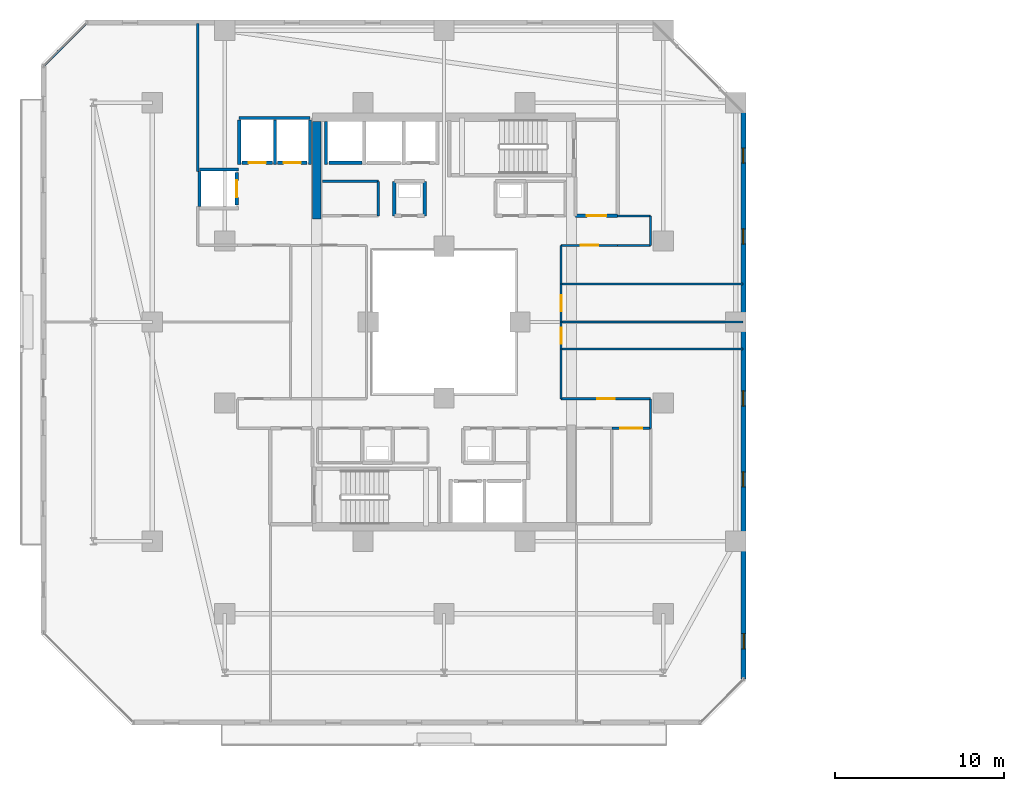
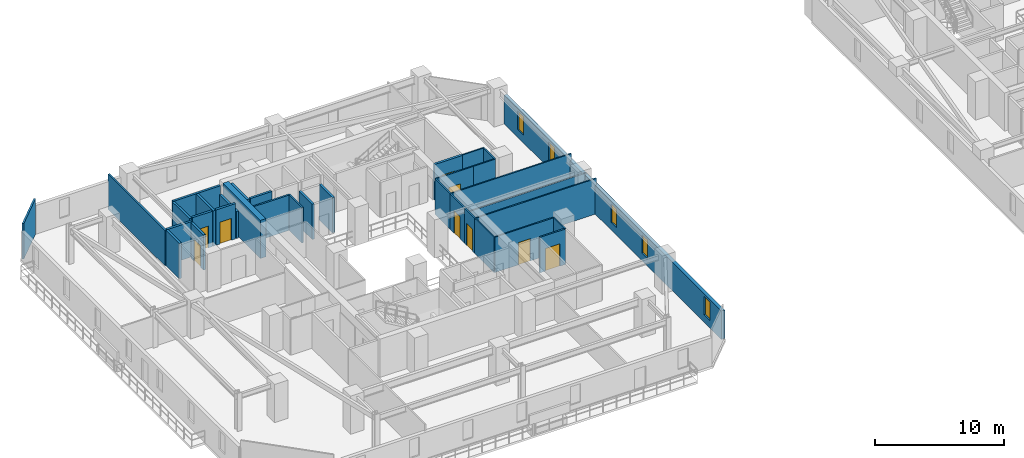
# One storey, part 20 of 33: 34 walls, 9 doors, 5 windows, 14 openings.
"""IFC4 building model written with IfcOpenShell, lengths in metres."""

from ifc_helpers import new_model, si_unit, direction, frame, frame_2d, origin, place, context, subcontext, project, spatial, rectangle, extrude, material, layer, layer_set, type_object, element, fill, save


model = new_model("IFC4")

# Units and contexts
model_context = context("Model", 3, precision=1e-05, world=origin(), true_north=direction((0.0, 1.0)))
body_context = subcontext(model_context, "Body", "Model", "MODEL_VIEW")
ifc_project = project(units=[si_unit("LENGTHUNIT", "METRE"), si_unit("AREAUNIT", "SQUARE_METRE"), si_unit("VOLUMEUNIT", "CUBIC_METRE"), si_unit("PLANEANGLEUNIT", "RADIAN"), si_unit("MASSUNIT", "GRAM", prefix="KILO")], contexts=[model_context])

# Site, building, storey
site_placement = place(None, origin())
site = spatial("IfcSite", under=ifc_project, at=site_placement, CompositionType="ELEMENT")
building_placement = place(site_placement, origin())
building = spatial("IfcBuilding", under=site, at=building_placement, Name="Thornwick Lancets Civic Towers", CompositionType="ELEMENT")
storey_placement = place(building_placement, frame((0.0, 0.0, 130.5)))
storey = spatial("IfcBuildingStorey", under=building, at=storey_placement, Name="L34", CompositionType="ELEMENT", Elevation=130.5)

# Wall
ifc_material_1 = material(Name="Concrete blockwork C40/50", Category="masonry")
ifc_layer_1 = layer(ifc_material_1, 0.199951171875, Name="Concrete blockwork C40/50")
ifc_layer_set_1 = layer_set([ifc_layer_1], Name="Concrete blockwork C40/50")
wall_type_1 = type_object("IfcWallType", Name="WALL_COMP_200", PredefinedType="STANDARD", material=ifc_layer_set_1)
wall_1_placement = place(storey_placement, frame((20.6201171875, 36.449951171875, 0.0), z_axis=(0.0, 0.0, 1.0), x_axis=(-1.0, 0.0, 0.0)))
element("IfcWall", 1, at=wall_1_placement, inside=storey, type_object=wall_type_1, Name="L34 Hoistway Front Wall PL-AH3", PredefinedType="STANDARD", context=body_context, shape_type="SweptSolid", body=[
    extrude(rectangle(XDim=1.940185546875, YDim=0.199951171875, at=frame_2d((0.97021484375, 0.0))), origin(), (0.0, 0.0, 1.0), 3.340087890625),
])

# Wall, opening, door
wall_2_placement = place(storey_placement, frame((17.3701171875, 36.449951171875, 0.0), z_axis=(0.0, 0.0, 1.0), x_axis=(-1.0, 0.0, 0.0)))
wall_2 = element("IfcWall", 2, at=wall_2_placement, inside=storey, type_object=wall_type_1, Name="L34 Hoistway Front Wall PL-AM1", PredefinedType="STANDARD", context=body_context, shape_type="SweptSolid", body=[
    extrude(rectangle(XDim=1.740234375, YDim=0.199951171875, at=frame_2d((0.8701171875, 0.0))), origin(), (0.0, 0.0, 1.0), 3.340087890625),
])
opening_1_placement = place(wall_2_placement, frame((0.360107421875, 0.0, 0.0)))
opening_1 = element("IfcOpeningElement", 3, at=opening_1_placement, cuts=wall_2, Name="Opening LD-PL-AM1", PredefinedType="OPENING", context=body_context, shape_type="SweptSolid", body=[
    extrude(rectangle(XDim=1.02001953125, YDim=2.06005859375, at=frame_2d((0.510009765625, 1.030029296875))), frame((0.0, 0.10986328125, 0.0), z_axis=(0.0, -1.0, 0.0), x_axis=(1.0, 0.0, 0.0)), (0.0, 0.0, 1.0), 0.219970703125),
])
ifc_material_2 = material(Name="Brushed bronze stainless steel", Category="steel")
door_type_1 = type_object("IfcDoorType", Name="DOOR_LIFT_SLIDE", OperationType="SLIDING_TO_LEFT", PredefinedType="DOOR", material=ifc_material_2)
door_1_placement = place(opening_1_placement, origin())
door_1 = element("IfcDoor", 4, at=door_1_placement, inside=storey, type_object=door_type_1, Name="L34 Sliding Lift Landing Door LD-PL-AM1", OperationType="SLIDING_TO_LEFT", OverallHeight=2.06005859375, OverallWidth=1.02001953125, PredefinedType="DOOR", context=body_context, shape_type="SweptSolid", body=[
    extrude(rectangle(XDim=1.02001953125, YDim=2.06005859375, at=frame_2d((0.510009765625, 1.030029296875))), frame((0.0, 0.02490234375, 0.0), z_axis=(0.0, -1.0, 0.0), x_axis=(1.0, 0.0, 0.0)), (0.0, 0.0, 1.0), 0.050048828125),
])
fill(opening_1, door_1)

wall_3_placement = place(storey_placement, frame((15.320068359375, 36.449951171875, 0.0), z_axis=(0.0, 0.0, 1.0), x_axis=(-1.0, 0.0, 0.0)))
wall_3 = element("IfcWall", 5, at=wall_3_placement, inside=storey, type_object=wall_type_1, Name="L34 Hoistway Front Wall PL-AM2", PredefinedType="STANDARD", context=body_context, shape_type="SweptSolid", body=[
    extrude(rectangle(XDim=1.7900390625, YDim=0.199951171875, at=frame_2d((0.89501953125, 0.0))), origin(), (0.0, 0.0, 1.0), 3.340087890625),
])
opening_2_placement = place(wall_3_placement, frame((0.385009765625, 0.0, 0.0)))
opening_2 = element("IfcOpeningElement", 6, at=opening_2_placement, cuts=wall_3, Name="Opening LD-PL-AM2", PredefinedType="OPENING", context=body_context, shape_type="SweptSolid", body=[
    extrude(rectangle(XDim=1.02001953125, YDim=2.06005859375, at=frame_2d((0.510009765625, 1.030029296875))), frame((0.0, 0.10986328125, 0.0), z_axis=(0.0, -1.0, 0.0), x_axis=(1.0, 0.0, 0.0)), (0.0, 0.0, 1.0), 0.219970703125),
])
door_2_placement = place(opening_2_placement, origin())
door_2 = element("IfcDoor", 7, at=door_2_placement, inside=storey, type_object=door_type_1, Name="L34 Sliding Lift Landing Door LD-PL-AM2", OperationType="SLIDING_TO_LEFT", OverallHeight=2.06005859375, OverallWidth=1.02001953125, PredefinedType="DOOR", context=body_context, shape_type="SweptSolid", body=[
    extrude(rectangle(XDim=1.02001953125, YDim=2.06005859375, at=frame_2d((0.510009765625, 1.030029296875))), frame((0.0, 0.02490234375, 0.0), z_axis=(0.0, -1.0, 0.0), x_axis=(1.0, 0.0, 0.0)), (0.0, 0.0, 1.0), 0.050048828125),
])
fill(opening_2, door_2)

wall_4_placement = place(storey_placement, frame((13.199951171875, 33.929931640625, 0.0), z_axis=(0.0, 0.0, 1.0), x_axis=(0.0, 1.0, 0.0)))
wall_4 = element("IfcWall", 8, at=wall_4_placement, inside=storey, type_object=wall_type_1, Name="L34 Hoistway Front Wall PL-AM3", PredefinedType="STANDARD", context=body_context, shape_type="SweptSolid", body=[
    extrude(rectangle(XDim=1.940185546875, YDim=0.199951171875, at=frame_2d((0.97021484375, 0.0))), origin(), (0.0, 0.0, 1.0), 3.340087890625),
])
opening_3_placement = place(wall_4_placement, frame((0.4599609375, 0.0, 0.0)))
opening_3 = element("IfcOpeningElement", 9, at=opening_3_placement, cuts=wall_4, Name="Opening LD-PL-AM3", PredefinedType="OPENING", context=body_context, shape_type="SweptSolid", body=[
    extrude(rectangle(XDim=1.02001953125, YDim=2.06005859375, at=frame_2d((0.510009765625, 1.030029296875))), frame((0.0, 0.10986328125, 0.0), z_axis=(0.0, -1.0, 0.0), x_axis=(1.0, 0.0, 0.0)), (0.0, 0.0, 1.0), 0.219970703125),
])
door_3_placement = place(opening_3_placement, origin())
door_3 = element("IfcDoor", 10, at=door_3_placement, inside=storey, type_object=door_type_1, Name="L34 Sliding Lift Landing Door LD-PL-AM3", OperationType="SLIDING_TO_LEFT", OverallHeight=2.06005859375, OverallWidth=1.02001953125, PredefinedType="DOOR", context=body_context, shape_type="SweptSolid", body=[
    extrude(rectangle(XDim=1.02001953125, YDim=2.06005859375, at=frame_2d((0.510009765625, 1.030029296875))), frame((0.0, 0.02490234375, 0.0), z_axis=(0.0, -1.0, 0.0), x_axis=(1.0, 0.0, 0.0)), (0.0, 0.0, 1.0), 0.050048828125),
])
fill(opening_3, door_3)

# Walls
wall_5_placement = place(storey_placement, frame((18.5, 36.35205078125, 0.0), z_axis=(0.0, 0.0, 1.0), x_axis=(0.0, 1.0, 0.0)))
element("IfcWall", 11, at=wall_5_placement, inside=storey, type_object=wall_type_1, Name="L34 Hoistway Shaft Wall PL-AH3 W", PredefinedType="STANDARD", context=body_context, shape_type="SweptSolid", body=[
    extrude(rectangle(XDim=2.535888671875, YDim=0.199951171875, at=frame_2d((1.26806640625, 0.0))), origin(), (0.0, 0.0, 1.0), 3.340087890625),
])
wall_6_placement = place(storey_placement, frame((13.35205078125, 39.10009765625, 0.0), z_axis=(0.0, 0.0, 1.0), x_axis=(1.0, 0.0, 0.0)))
element("IfcWall", 12, at=wall_6_placement, inside=storey, type_object=wall_type_1, Name="L34 Hoistway Shaft Wall PL-AM1 N", PredefinedType="STANDARD", context=body_context, shape_type="SweptSolid", body=[
    extrude(rectangle(XDim=4.196044921875, YDim=0.199951171875, at=frame_2d((2.09814453125, 0.0))), origin(), (0.0, 0.0, 1.0), 3.340087890625),
])
wall_7_placement = place(storey_placement, frame((17.550048828125, 36.35205078125, 0.0), z_axis=(0.0, 0.0, 1.0), x_axis=(0.0, 1.0, 0.0)))
element("IfcWall", 13, at=wall_7_placement, inside=storey, type_object=wall_type_1, Name="L34 Hoistway Shaft Wall PL-AM1 E", PredefinedType="STANDARD", context=body_context, shape_type="SweptSolid", body=[
    extrude(rectangle(XDim=2.635986328125, YDim=0.199951171875, at=frame_2d((1.31787109375, 0.0))), origin(), (0.0, 0.0, 1.0), 2.544921875),
])
for number, where, z_axis, x_axis, name in (
    (14, (15.47509765625, 36.35205078125, 0.0), (0.0, 0.0, 1.0), (0.0, 1.0, 0.0), "L34 Hoistway Shaft Wall PL-AM1 W"),
    (15, (13.35009765625, 36.35205078125, 0.0), (0.0, 0.0, 1.0), (0.0, 1.0, 0.0), "L34 Hoistway Shaft Wall PL-AM2 W"),
):
    element("IfcWall", number, at=place(storey_placement, frame(where, z_axis=z_axis, x_axis=x_axis)), inside=storey, type_object=wall_type_1, Name=name, PredefinedType="STANDARD", context=body_context, shape_type="SweptSolid", body=[
        extrude(rectangle(XDim=2.635986328125, YDim=0.199951171875, at=frame_2d((1.31787109375, 0.0))), origin(), (0.0, 0.0, 1.0), 3.340087890625),
    ])
wall_8_placement = place(storey_placement, frame((11.001953125, 36.050048828125, 0.0), z_axis=(0.0, 0.0, 1.0), x_axis=(1.0, 0.0, 0.0)))
element("IfcWall", 16, at=wall_8_placement, inside=storey, type_object=wall_type_1, Name="L34 Hoistway Shaft Wall PL-AM3 N", PredefinedType="STANDARD", context=body_context, shape_type="SweptSolid", body=[
    extrude(rectangle(XDim=2.296142578125, YDim=0.199951171875, at=frame_2d((1.14794921875, 0.0))), origin(), (0.0, 0.0, 1.0), 3.340087890625),
])
wall_9_placement = place(storey_placement, frame((11.0, 33.862060546875, 0.0), z_axis=(0.0, 0.0, 1.0), x_axis=(0.0, 1.0, 0.0)))
element("IfcWall", 17, at=wall_9_placement, inside=storey, type_object=wall_type_1, Name="L34 Hoistway Shaft Wall PL-AM3 W", PredefinedType="STANDARD", context=body_context, shape_type="SweptSolid", body=[
    extrude(rectangle(XDim=2.075927734375, YDim=0.199951171875, at=frame_2d((1.0380859375, 0.0))), origin(), (0.0, 0.0, 1.0), 3.340087890625),
])

# Wall, opening, door
wall_10_placement = place(storey_placement, frame((33.300048828125, 33.300048828125, 0.0), z_axis=(0.0, 0.0, 1.0), x_axis=(1.0, 0.0, 0.0)))
wall_10 = element("IfcWall", 18, at=wall_10_placement, inside=storey, type_object=wall_type_1, Name="L34 Partition L34-A-FFLOB2 E1", PredefinedType="STANDARD", context=body_context, shape_type="SweptSolid", body=[
    extrude(rectangle(XDim=2.5, YDim=0.199951171875, at=frame_2d((1.25, 0.0))), origin(), (0.0, 0.0, 1.0), 3.340087890625),
])
opening_4_placement = place(wall_10_placement, frame((0.675048828125, 0.0, 0.0)))
opening_4 = element("IfcOpeningElement", 19, at=opening_4_placement, cuts=wall_10, Name="Opening D-L34-1530", PredefinedType="OPENING", context=body_context, shape_type="SweptSolid", body=[
    extrude(rectangle(XDim=1.14990234375, YDim=2.10009765625, at=frame_2d((0.574951171875, 1.050048828125))), frame((0.0, 0.10986328125, 0.0), z_axis=(0.0, -1.0, 0.0), x_axis=(1.0, 0.0, 0.0)), (0.0, 0.0, 1.0), 0.219970703125),
])
ifc_material_3 = material(Name="Glazed fire-resisting steel", Category="steel")
door_type_2 = type_object("IfcDoorType", Name="DOOR_LOBBY_FD60", OperationType="NOTDEFINED", PredefinedType="DOOR", material=ifc_material_3)
door_4_placement = place(opening_4_placement, origin())
door_4 = element("IfcDoor", 20, at=door_4_placement, inside=storey, type_object=door_type_2, Name="L34 North Firefighting Lobby 2 Door", OperationType="SINGLE_SWING_LEFT", OverallHeight=2.10009765625, OverallWidth=1.14990234375, PredefinedType="DOOR", context=body_context, shape_type="SweptSolid", body=[
    extrude(rectangle(XDim=1.14990234375, YDim=2.10009765625, at=frame_2d((0.574951171875, 1.050048828125))), frame((0.0, 0.02490234375, 0.0), z_axis=(0.0, -1.0, 0.0), x_axis=(1.0, 0.0, 0.0)), (0.0, 0.0, 1.0), 0.050048828125),
])
fill(opening_4, door_4)

# Walls
for number, where, z_axis, x_axis, name in (
    (21, (24.35009765625, 33.300048828125, 0.0), (0.0, 0.0, 1.0), (0.0, 1.0, 0.0), "L34 Partition L34-A-DUCT2 E2"),
    (22, (22.550048828125, 35.35009765625, 0.0), (0.0, 0.0, 1.0), (0.0, -1.0, 0.0), "L34 Partition L34-A-DUCT2 E4"),
):
    element("IfcWall", number, at=place(storey_placement, frame(where, z_axis=z_axis, x_axis=x_axis)), inside=storey, type_object=wall_type_1, Name=name, PredefinedType="STANDARD", context=body_context, shape_type="SweptSolid", body=[
        extrude(rectangle(XDim=2.050048828125, YDim=0.199951171875, at=frame_2d((1.02490234375, 0.0))), origin(), (0.0, 0.0, 1.0), 3.340087890625),
    ])
ifc_material_4 = material(Name="Concrete C50/60", Category="concrete")
ifc_layer_2 = layer(ifc_material_4, 0.5, Name="Concrete C50/60")
ifc_layer_set_2 = layer_set([ifc_layer_2], Name="Concrete C50/60")
wall_type_2 = type_object("IfcWallType", Name="WALL_CORE_500", PredefinedType="SHEAR", material=ifc_layer_set_2)
wall_11_placement = place(storey_placement, frame((17.949951171875, 33.10009765625, 0.0), z_axis=(0.0, 0.0, 1.0), x_axis=(0.0, 1.0, 0.0)))
element("IfcWall", 23, at=wall_11_placement, inside=storey, type_object=wall_type_2, Name="L34 Split Core A2 Shear Wall W", PredefinedType="SHEAR", context=body_context, shape_type="SweptSolid", body=[
    extrude(rectangle(XDim=5.7998046875, YDim=0.5, at=frame_2d((2.89990234375, 0.0))), origin(), (0.0, 0.0, 1.0), 3.60009765625),
])

# Wall, openings, windows
ifc_material_5 = material(Name="Insulated russet terracotta rainscreen on concrete C40/50", Category="masonry")
ifc_layer_3 = layer(ifc_material_5, 0.300048828125, Name="Insulated russet terracotta rainscreen on concrete C40/50")
ifc_layer_set_3 = layer_set([ifc_layer_3], Name="Insulated russet terracotta rainscreen on concrete C40/50")
wall_type_3 = type_object("IfcWallType", Name="WALL_EXT_RUSSET_300", PredefinedType="STANDARD", material=ifc_layer_set_3)
wall_12_placement = place(storey_placement, frame((43.2646484375, 5.818603515625, 0.0), z_axis=(0.0, 0.0, 1.0), x_axis=(-0.000268805477, 0.999999963872, 0.0)))
wall_12 = element("IfcWall", 24, at=wall_12_placement, inside=storey, type_object=wall_type_3, Name="L34 Tower A Terracotta Facade Wall E2", PredefinedType="STANDARD", context=body_context, shape_type="SweptSolid", body=[
    extrude(rectangle(XDim=33.60498046875, YDim=0.300048828125, at=frame_2d((16.802490234375, 0.0))), origin(), (0.0, 0.0, 1.0), 2.699951171875),
])
opening_5_placement = place(wall_12_placement, frame((1.800048828125, 0.0, 0.719970703125)))
opening_5 = element("IfcOpeningElement", 25, at=opening_5_placement, cuts=wall_12, Name="Opening WL-01", PredefinedType="OPENING", context=body_context, shape_type="SweptSolid", body=[
    extrude(rectangle(XDim=0.89990234375, YDim=1.75, at=frame_2d((0.449951171875, 0.875))), frame((0.0, 0.16015625, 0.0), z_axis=(0.0, -1.0, 0.0), x_axis=(1.0, 0.0, 0.0)), (0.0, 0.0, 1.0), 0.320068359375),
])
opening_6_placement = place(wall_12_placement, frame((11.39990234375, 0.0, 0.719970703125)))
opening_6 = element("IfcOpeningElement", 26, at=opening_6_placement, cuts=wall_12, Name="Opening WL-01", PredefinedType="OPENING", context=body_context, shape_type="SweptSolid", body=[
    extrude(rectangle(XDim=0.89990234375, YDim=1.75, at=frame_2d((0.449951171875, 0.875))), frame((0.0, 0.16015625, 0.0), z_axis=(0.0, -1.0, 0.0), x_axis=(1.0, 0.0, 0.0)), (0.0, 0.0, 1.0), 0.320068359375),
])
opening_7_placement = place(wall_12_placement, frame((16.199951171875, 0.0, 0.719970703125)))
opening_7 = element("IfcOpeningElement", 27, at=opening_7_placement, cuts=wall_12, Name="Opening WL-01", PredefinedType="OPENING", context=body_context, shape_type="SweptSolid", body=[
    extrude(rectangle(XDim=0.89990234375, YDim=1.75, at=frame_2d((0.449951171875, 0.875))), frame((0.0, 0.16015625, 0.0), z_axis=(0.0, -1.0, 0.0), x_axis=(1.0, 0.0, 0.0)), (0.0, 0.0, 1.0), 0.320068359375),
])
opening_8_placement = place(wall_12_placement, frame((25.800048828125, 0.0, 0.719970703125)))
opening_8 = element("IfcOpeningElement", 28, at=opening_8_placement, cuts=wall_12, Name="Opening WL-01", PredefinedType="OPENING", context=body_context, shape_type="SweptSolid", body=[
    extrude(rectangle(XDim=0.89990234375, YDim=1.75, at=frame_2d((0.449951171875, 0.875))), frame((0.0, 0.16015625, 0.0), z_axis=(0.0, -1.0, 0.0), x_axis=(1.0, 0.0, 0.0)), (0.0, 0.0, 1.0), 0.320068359375),
])
opening_9_placement = place(wall_12_placement, frame((30.60009765625, 0.0, 0.719970703125)))
opening_9 = element("IfcOpeningElement", 29, at=opening_9_placement, cuts=wall_12, Name="Opening WL-01", PredefinedType="OPENING", context=body_context, shape_type="SweptSolid", body=[
    extrude(rectangle(XDim=0.89990234375, YDim=1.75, at=frame_2d((0.449951171875, 0.875))), frame((0.0, 0.16015625, 0.0), z_axis=(0.0, -1.0, 0.0), x_axis=(1.0, 0.0, 0.0)), (0.0, 0.0, 1.0), 0.320068359375),
])
ifc_material_6 = material(Name="Clear low-e double glazing in bronze frame", Category="glass")
window_type = type_object("IfcWindowType", Name="WIN_LANCET_900", PartitioningType="SINGLE_PANEL", PredefinedType="WINDOW", material=ifc_material_6)
window_1_placement = place(opening_5_placement, origin())
window_1 = element("IfcWindow", 30, at=window_1_placement, inside=storey, type_object=window_type, Name="L34 Tower A Staggered Lancet Window E2-1", OverallHeight=1.75, OverallWidth=0.89990234375, PartitioningType="SINGLE_PANEL", PredefinedType="WINDOW", context=body_context, shape_type="SweptSolid", body=[
    extrude(rectangle(XDim=0.89990234375, YDim=1.75, at=frame_2d((0.449951171875, 0.875))), frame((0.0, 0.030029296875, 0.0), z_axis=(0.0, -1.0, 0.0), x_axis=(1.0, 0.0, 0.0)), (0.0, 0.0, 1.0), 0.06005859375),
])
fill(opening_5, window_1)
window_2_placement = place(opening_6_placement, origin())
window_2 = element("IfcWindow", 31, at=window_2_placement, inside=storey, type_object=window_type, Name="L34 Tower A Staggered Lancet Window E2-2", OverallHeight=1.75, OverallWidth=0.89990234375, PartitioningType="SINGLE_PANEL", PredefinedType="WINDOW", context=body_context, shape_type="SweptSolid", body=[
    extrude(rectangle(XDim=0.89990234375, YDim=1.75, at=frame_2d((0.449951171875, 0.875))), frame((0.0, 0.030029296875, 0.0), z_axis=(0.0, -1.0, 0.0), x_axis=(1.0, 0.0, 0.0)), (0.0, 0.0, 1.0), 0.06005859375),
])
fill(opening_6, window_2)
window_3_placement = place(opening_7_placement, origin())
window_3 = element("IfcWindow", 32, at=window_3_placement, inside=storey, type_object=window_type, Name="L34 Tower A Staggered Lancet Window E2-3", OverallHeight=1.75, OverallWidth=0.89990234375, PartitioningType="SINGLE_PANEL", PredefinedType="WINDOW", context=body_context, shape_type="SweptSolid", body=[
    extrude(rectangle(XDim=0.89990234375, YDim=1.75, at=frame_2d((0.449951171875, 0.875))), frame((0.0, 0.030029296875, 0.0), z_axis=(0.0, -1.0, 0.0), x_axis=(1.0, 0.0, 0.0)), (0.0, 0.0, 1.0), 0.06005859375),
])
fill(opening_7, window_3)
window_4_placement = place(opening_8_placement, origin())
window_4 = element("IfcWindow", 33, at=window_4_placement, inside=storey, type_object=window_type, Name="L34 Tower A Staggered Lancet Window E2-4", OverallHeight=1.75, OverallWidth=0.89990234375, PartitioningType="SINGLE_PANEL", PredefinedType="WINDOW", context=body_context, shape_type="SweptSolid", body=[
    extrude(rectangle(XDim=0.89990234375, YDim=1.75, at=frame_2d((0.449951171875, 0.875))), frame((0.0, 0.030029296875, 0.0), z_axis=(0.0, -1.0, 0.0), x_axis=(1.0, 0.0, 0.0)), (0.0, 0.0, 1.0), 0.06005859375),
])
fill(opening_8, window_4)
window_5_placement = place(opening_9_placement, origin())
window_5 = element("IfcWindow", 34, at=window_5_placement, inside=storey, type_object=window_type, Name="L34 Tower A Staggered Lancet Window E2-5", OverallHeight=1.75, OverallWidth=0.89990234375, PartitioningType="SINGLE_PANEL", PredefinedType="WINDOW", context=body_context, shape_type="SweptSolid", body=[
    extrude(rectangle(XDim=0.89990234375, YDim=1.75, at=frame_2d((0.449951171875, 0.875))), frame((0.0, 0.030029296875, 0.0), z_axis=(0.0, -1.0, 0.0), x_axis=(1.0, 0.0, 0.0)), (0.0, 0.0, 1.0), 0.06005859375),
])
fill(opening_9, window_5)

# Wall
ifc_material_7 = material(Name="Acoustic gypsum board partition")
ifc_layer_4 = layer(ifc_material_7, 0.1201171875, Name="Acoustic gypsum board partition")
ifc_layer_set_4 = layer_set([ifc_layer_4], Name="Acoustic gypsum board partition")
wall_type_4 = type_object("IfcWallType", Name="WALL_PART_120", PredefinedType="PARTITIONING", material=ifc_layer_set_4)
wall_13_placement = place(storey_placement, frame((37.75, 20.699951171875, 0.0), z_axis=(0.0, 0.0, 1.0), x_axis=(0.0, 1.0, 0.0)))
element("IfcWall", 35, at=wall_13_placement, inside=storey, type_object=wall_type_4, Name="L34 Partition L34-A-E1 E6", PredefinedType="PARTITIONING", context=body_context, shape_type="SweptSolid", body=[
    extrude(rectangle(XDim=1.75, YDim=0.1201171875, at=frame_2d((0.875, 0.0))), origin(), (0.0, 0.0, 1.0), 3.340087890625),
])

# Wall, opening, door
wall_14_placement = place(storey_placement, frame((37.75, 22.449951171875, 0.0), z_axis=(0.0, 0.0, 1.0), x_axis=(-1.0, 0.0, 0.0)))
wall_14 = element("IfcWall", 36, at=wall_14_placement, inside=storey, type_object=wall_type_4, Name="L34 Partition L34-A-E1 E7", PredefinedType="PARTITIONING", context=body_context, shape_type="SweptSolid", body=[
    extrude(rectangle(XDim=5.300048828125, YDim=0.1201171875, at=frame_2d((2.64990234375, 0.0))), origin(), (0.0, 0.0, 1.0), 3.340087890625),
])
opening_10_placement = place(wall_14_placement, frame((2.125, 0.0, 0.0)))
opening_10 = element("IfcOpeningElement", 37, at=opening_10_placement, cuts=wall_14, Name="Opening D-L34-1558", PredefinedType="OPENING", context=body_context, shape_type="SweptSolid", body=[
    extrude(rectangle(XDim=1.050048828125, YDim=2.10009765625, at=frame_2d((0.52490234375, 1.050048828125))), frame((0.0, 0.070068359375, 0.0), z_axis=(0.0, -1.0, 0.0), x_axis=(1.0, 0.0, 0.0)), (0.0, 0.0, 1.0), 0.14013671875),
])
ifc_material_8 = material(Name="Glazed European oak executive doorset")
door_type_3 = type_object("IfcDoorType", Name="DOOR_OFFICE_1050", OperationType="NOTDEFINED", PredefinedType="DOOR", material=ifc_material_8)
door_5_placement = place(opening_10_placement, origin())
door_5 = element("IfcDoor", 38, at=door_5_placement, inside=storey, type_object=door_type_3, Name="L34 Tower A Secretariat Open Office E1 Door", OperationType="SINGLE_SWING_LEFT", OverallHeight=2.10009765625, OverallWidth=1.050048828125, PredefinedType="DOOR", context=body_context, shape_type="SweptSolid", body=[
    extrude(rectangle(XDim=1.050048828125, YDim=2.10009765625, at=frame_2d((0.52490234375, 1.050048828125))), frame((0.0, 0.02490234375, 0.0), z_axis=(0.0, -1.0, 0.0), x_axis=(1.0, 0.0, 0.0)), (0.0, 0.0, 1.0), 0.050048828125),
])
fill(opening_10, door_5)

# Walls
wall_15_placement = place(storey_placement, frame((32.449951171875, 22.449951171875, 0.0), z_axis=(0.0, 0.0, 1.0), x_axis=(0.0, 1.0, 0.0)))
element("IfcWall", 39, at=wall_15_placement, inside=storey, type_object=wall_type_4, Name="L34 Partition L34-A-E1 E8", PredefinedType="PARTITIONING", context=body_context, shape_type="SweptSolid", body=[
    extrude(rectangle(XDim=2.949951171875, YDim=0.1201171875, at=frame_2d((1.47509765625, 0.0))), origin(), (0.0, 0.0, 1.0), 3.340087890625),
])
wall_16_placement = place(storey_placement, frame((32.449951171875, 25.39990234375, 0.0), z_axis=(0.0, 0.0, 1.0), x_axis=(1.0, 0.0, 0.0)))
element("IfcWall", 40, at=wall_16_placement, inside=storey, type_object=wall_type_4, Name="L34 Partition L34-A-E1 E9", PredefinedType="PARTITIONING", context=body_context, shape_type="SweptSolid", body=[
    extrude(rectangle(XDim=10.77001953125, YDim=0.1201171875, at=frame_2d((5.385009765625, 0.0))), origin(), (0.0, 0.0, 1.0), 3.340087890625),
])

# Wall, opening, door
wall_17_placement = place(storey_placement, frame((32.449951171875, 25.39990234375, 0.0), z_axis=(0.0, 0.0, 1.0), x_axis=(0.0, 1.0, 0.0)))
wall_17 = element("IfcWall", 41, at=wall_17_placement, inside=storey, type_object=wall_type_4, Name="L34 Partition L34-A-E2 E1", PredefinedType="PARTITIONING", context=body_context, shape_type="SweptSolid", body=[
    extrude(rectangle(XDim=1.60009765625, YDim=0.1201171875, at=frame_2d((0.800048828125, 0.0))), origin(), (0.0, 0.0, 1.0), 3.340087890625),
])
opening_11_placement = place(wall_17_placement, frame((0.324951171875, 0.0, 0.0)))
opening_11 = element("IfcOpeningElement", 42, at=opening_11_placement, cuts=wall_17, Name="Opening D-L34-1559", PredefinedType="OPENING", context=body_context, shape_type="SweptSolid", body=[
    extrude(rectangle(XDim=0.949951171875, YDim=2.10009765625, at=frame_2d((0.47509765625, 1.050048828125))), frame((0.0, 0.070068359375, 0.0), z_axis=(0.0, -1.0, 0.0), x_axis=(1.0, 0.0, 0.0)), (0.0, 0.0, 1.0), 0.14013671875),
])
ifc_material_9 = material(Name="European oak acoustic doorset")
door_type_4 = type_object("IfcDoorType", Name="DOOR_OFFICE_950", OperationType="NOTDEFINED", PredefinedType="DOOR", material=ifc_material_9)
door_6_placement = place(opening_11_placement, origin())
door_6 = element("IfcDoor", 43, at=door_6_placement, inside=storey, type_object=door_type_4, Name="L34 Tower A Visitors Reception and Waiting Door", OperationType="SINGLE_SWING_RIGHT", OverallHeight=2.10009765625, OverallWidth=0.949951171875, PredefinedType="DOOR", context=body_context, shape_type="SweptSolid", body=[
    extrude(rectangle(XDim=0.949951171875, YDim=2.10009765625, at=frame_2d((0.47509765625, 1.050048828125))), frame((0.0, 0.02490234375, 0.0), z_axis=(0.0, -1.0, 0.0), x_axis=(1.0, 0.0, 0.0)), (0.0, 0.0, 1.0), 0.050048828125),
])
fill(opening_11, door_6)

# Wall
wall_18_placement = place(storey_placement, frame((32.449951171875, 27.0, 0.0), z_axis=(0.0, 0.0, 1.0), x_axis=(1.0, 0.0, 0.0)))
element("IfcWall", 44, at=wall_18_placement, inside=storey, type_object=wall_type_4, Name="L34 Partition L34-A-E2 E2", PredefinedType="PARTITIONING", context=body_context, shape_type="SweptSolid", body=[
    extrude(rectangle(XDim=10.77001953125, YDim=0.1201171875, at=frame_2d((5.385009765625, 0.0))), origin(), (0.0, 0.0, 1.0), 2.877685546875),
])

# Wall, opening, door
wall_19_placement = place(storey_placement, frame((32.449951171875, 27.0, 0.0), z_axis=(0.0, 0.0, 1.0), x_axis=(0.0, 1.0, 0.0)))
wall_19 = element("IfcWall", 45, at=wall_19_placement, inside=storey, type_object=wall_type_4, Name="L34 Partition L34-A-E3 E1", PredefinedType="PARTITIONING", context=body_context, shape_type="SweptSolid", body=[
    extrude(rectangle(XDim=2.25, YDim=0.1201171875, at=frame_2d((1.125, 0.0))), origin(), (0.0, 0.0, 1.0), 3.340087890625),
])
opening_12_placement = place(wall_19_placement, frame((0.64990234375, 0.0, 0.0)))
opening_12 = element("IfcOpeningElement", 46, at=opening_12_placement, cuts=wall_19, Name="Opening D-L34-1560", PredefinedType="OPENING", context=body_context, shape_type="SweptSolid", body=[
    extrude(rectangle(XDim=0.949951171875, YDim=2.10009765625, at=frame_2d((0.47509765625, 1.050048828125))), frame((0.0, 0.070068359375, 0.0), z_axis=(0.0, -1.0, 0.0), x_axis=(1.0, 0.0, 0.0)), (0.0, 0.0, 1.0), 0.14013671875),
])
door_7_placement = place(opening_12_placement, origin())
door_7 = element("IfcDoor", 47, at=door_7_placement, inside=storey, type_object=door_type_4, Name="L34 Tower A Civic Seminar Room Door", OperationType="SINGLE_SWING_LEFT", OverallHeight=2.10009765625, OverallWidth=0.949951171875, PredefinedType="DOOR", context=body_context, shape_type="SweptSolid", body=[
    extrude(rectangle(XDim=0.949951171875, YDim=2.10009765625, at=frame_2d((0.47509765625, 1.050048828125))), frame((0.0, 0.02490234375, 0.0), z_axis=(0.0, -1.0, 0.0), x_axis=(1.0, 0.0, 0.0)), (0.0, 0.0, 1.0), 0.050048828125),
])
fill(opening_12, door_7)

# Wall
wall_20_placement = place(storey_placement, frame((32.449951171875, 29.25, 0.0), z_axis=(0.0, 0.0, 1.0), x_axis=(1.0, 0.0, 0.0)))
element("IfcWall", 48, at=wall_20_placement, inside=storey, type_object=wall_type_4, Name="L34 Partition L34-A-E3 E2", PredefinedType="PARTITIONING", context=body_context, shape_type="SweptSolid", body=[
    extrude(rectangle(XDim=10.77001953125, YDim=0.1201171875, at=frame_2d((5.385009765625, 0.0))), origin(), (0.0, 0.0, 1.0), 3.340087890625),
])

# Wall, opening, door
wall_21_placement = place(storey_placement, frame((32.449951171875, 31.550048828125, 0.0), z_axis=(0.0, 0.0, 1.0), x_axis=(1.0, 0.0, 0.0)))
wall_21 = element("IfcWall", 49, at=wall_21_placement, inside=storey, type_object=wall_type_4, Name="L34 Partition L34-A-E4 E1", PredefinedType="PARTITIONING", context=body_context, shape_type="SweptSolid", body=[
    extrude(rectangle(XDim=3.35009765625, YDim=0.1201171875, at=frame_2d((1.675048828125, 0.0))), origin(), (0.0, 0.0, 1.0), 3.340087890625),
])
opening_13_placement = place(wall_21_placement, frame((1.14990234375, 0.0, 0.0)))
opening_13 = element("IfcOpeningElement", 50, at=opening_13_placement, cuts=wall_21, Name="Opening D-L34-1561", PredefinedType="OPENING", context=body_context, shape_type="SweptSolid", body=[
    extrude(rectangle(XDim=1.050048828125, YDim=2.10009765625, at=frame_2d((0.52490234375, 1.050048828125))), frame((0.0, 0.070068359375, 0.0), z_axis=(0.0, -1.0, 0.0), x_axis=(1.0, 0.0, 0.0)), (0.0, 0.0, 1.0), 0.14013671875),
])
door_8_placement = place(opening_13_placement, origin())
door_8 = element("IfcDoor", 51, at=door_8_placement, inside=storey, type_object=door_type_3, Name="L34 Tower A Counsel Chambers Office E4 Door", OperationType="SINGLE_SWING_RIGHT", OverallHeight=2.10009765625, OverallWidth=1.050048828125, PredefinedType="DOOR", context=body_context, shape_type="SweptSolid", body=[
    extrude(rectangle(XDim=1.050048828125, YDim=2.10009765625, at=frame_2d((0.52490234375, 1.050048828125))), frame((0.0, 0.02490234375, 0.0), z_axis=(0.0, -1.0, 0.0), x_axis=(1.0, 0.0, 0.0)), (0.0, 0.0, 1.0), 0.050048828125),
])
fill(opening_13, door_8)

# Walls
wall_22_placement = place(storey_placement, frame((35.800048828125, 31.550048828125, 0.0), z_axis=(0.0, 0.0, 1.0), x_axis=(1.0, 0.0, 0.0)))
element("IfcWall", 52, at=wall_22_placement, inside=storey, type_object=wall_type_4, Name="L34 Partition L34-A-E4 E2", PredefinedType="PARTITIONING", context=body_context, shape_type="SweptSolid", body=[
    extrude(rectangle(XDim=1.949951171875, YDim=0.1201171875, at=frame_2d((0.97509765625, 0.0))), origin(), (0.0, 0.0, 1.0), 3.340087890625),
])
wall_23_placement = place(storey_placement, frame((37.75, 31.550048828125, 0.0), z_axis=(0.0, 0.0, 1.0), x_axis=(0.0, 1.0, 0.0)))
element("IfcWall", 53, at=wall_23_placement, inside=storey, type_object=wall_type_4, Name="L34 Partition L34-A-E4 E3", PredefinedType="PARTITIONING", context=body_context, shape_type="SweptSolid", body=[
    extrude(rectangle(XDim=1.75, YDim=0.1201171875, at=frame_2d((0.875, 0.0))), origin(), (0.0, 0.0, 1.0), 3.340087890625),
])
wall_24_placement = place(storey_placement, frame((37.75, 33.300048828125, 0.0), z_axis=(0.0, 0.0, 1.0), x_axis=(-1.0, 0.0, 0.0)))
element("IfcWall", 54, at=wall_24_placement, inside=storey, type_object=wall_type_4, Name="L34 Partition L34-A-E4 E4", PredefinedType="PARTITIONING", context=body_context, shape_type="SweptSolid", body=[
    extrude(rectangle(XDim=1.949951171875, YDim=0.1201171875, at=frame_2d((0.97509765625, 0.0))), origin(), (0.0, 0.0, 1.0), 3.340087890625),
])
wall_25_placement = place(storey_placement, frame((32.449951171875, 29.25, 0.0), z_axis=(0.0, 0.0, 1.0), x_axis=(0.0, 1.0, 0.0)))
element("IfcWall", 55, at=wall_25_placement, inside=storey, type_object=wall_type_4, Name="L34 Partition L34-A-E4 E11", PredefinedType="PARTITIONING", context=body_context, shape_type="SweptSolid", body=[
    extrude(rectangle(XDim=2.300048828125, YDim=0.1201171875, at=frame_2d((1.14990234375, 0.0))), origin(), (0.0, 0.0, 1.0), 3.340087890625),
])
ifc_material_10 = material(Name="Twin-stud acoustic gypsum board")
ifc_layer_5 = layer(ifc_material_10, 0.14990234375, Name="Twin-stud acoustic gypsum board")
ifc_layer_set_5 = layer_set([ifc_layer_5], Name="Twin-stud acoustic gypsum board")
wall_type_5 = type_object("IfcWallType", Name="WALL_PART_150", PredefinedType="PARTITIONING", material=ifc_layer_set_5)
wall_26_placement = place(storey_placement, frame((21.60009765625, 33.300048828125, 0.0), z_axis=(0.0, 0.0, 1.0), x_axis=(0.0, 1.0, 0.0)))
element("IfcWall", 56, at=wall_26_placement, inside=storey, type_object=wall_type_5, Name="L34 Partition L34-A-MWC E2", PredefinedType="PARTITIONING", context=body_context, shape_type="SweptSolid", body=[
    extrude(rectangle(XDim=2.050048828125, YDim=0.14990234375, at=frame_2d((1.02490234375, 0.0))), origin(), (0.0, 0.0, 1.0), 3.340087890625),
])
wall_27_placement = place(storey_placement, frame((21.60009765625, 35.35009765625, 0.0), z_axis=(0.0, 0.0, 1.0), x_axis=(-1.0, 0.0, 0.0)))
element("IfcWall", 57, at=wall_27_placement, inside=storey, type_object=wall_type_5, Name="L34 Partition L34-A-MWC E3", PredefinedType="PARTITIONING", context=body_context, shape_type="SweptSolid", body=[
    extrude(rectangle(XDim=3.300048828125, YDim=0.14990234375, at=frame_2d((1.64990234375, 0.0))), origin(), (0.0, 0.0, 1.0), 3.340087890625),
])

# Wall, opening, door
wall_28_placement = place(storey_placement, frame((35.449951171875, 20.699951171875, 0.0), z_axis=(0.0, 0.0, 1.0), x_axis=(1.0, 0.0, 0.0)))
wall_28 = element("IfcWall", 58, at=wall_28_placement, inside=storey, type_object=wall_type_5, Name="L34 Partition L34-A-RECLAIM-L2 E3", PredefinedType="PARTITIONING", context=body_context, shape_type="SweptSolid", body=[
    extrude(rectangle(XDim=2.300048828125, YDim=0.14990234375, at=frame_2d((1.14990234375, 0.0))), origin(), (0.0, 0.0, 1.0), 3.340087890625),
])
opening_14_placement = place(wall_28_placement, frame((0.5, 0.0, 0.0)))
opening_14 = element("IfcOpeningElement", 59, at=opening_14_placement, cuts=wall_28, Name="Opening D-L34-1554", PredefinedType="OPENING", context=body_context, shape_type="SweptSolid", body=[
    extrude(rectangle(XDim=1.300048828125, YDim=2.1201171875, at=frame_2d((0.64990234375, 1.06005859375))), frame((0.0, 0.0849609375, 0.0), z_axis=(0.0, -1.0, 0.0), x_axis=(1.0, 0.0, 0.0)), (0.0, 0.0, 1.0), 0.169921875),
])
ifc_material_11 = material(Name="Acoustic oak leaf-and-a-half doorset")
door_type_5 = type_object("IfcDoorType", Name="DOOR_MEET_1300", OperationType="DOUBLE_DOOR_SINGLE_SWING", PredefinedType="DOOR", material=ifc_material_11)
door_9_placement = place(opening_14_placement, origin())
door_9 = element("IfcDoor", 60, at=door_9_placement, inside=storey, type_object=door_type_5, Name="L34 Tower A Ministerial Consultation Room Door", OperationType="DOUBLE_DOOR_SINGLE_SWING", OverallHeight=2.1201171875, OverallWidth=1.300048828125, PredefinedType="DOOR", context=body_context, shape_type="SweptSolid", body=[
    extrude(rectangle(XDim=1.300048828125, YDim=2.1201171875, at=frame_2d((0.64990234375, 1.06005859375))), frame((0.0, 0.02490234375, 0.0), z_axis=(0.0, -1.0, 0.0), x_axis=(1.0, 0.0, 0.0)), (0.0, 0.0, 1.0), 0.050048828125),
])
fill(opening_14, door_9)

# Walls
wall_29_placement = place(storey_placement, frame((1.780029296875, 42.225341796875, 0.0), z_axis=(0.0, 0.0, 1.0), x_axis=(0.707106781187, 0.707106781187, 0.0)))
element("IfcWall", 61, at=wall_29_placement, inside=storey, type_object=wall_type_5, Name="L34 Partition L34-A-W2 E5", PredefinedType="PARTITIONING", context=body_context, shape_type="SweptSolid", body=[
    extrude(rectangle(XDim=3.52783203125, YDim=0.14990234375, at=frame_2d((1.763916015625, 0.0))), origin(), (0.0, 0.0, 1.0), 3.340087890625),
])
wall_30_placement = place(storey_placement, frame((10.89990234375, 44.719970703125, 0.0), z_axis=(0.0, 0.0, 1.0), x_axis=(0.0, -1.0, 0.0)))
element("IfcWall", 62, at=wall_30_placement, inside=storey, type_object=wall_type_5, Name="L34 Partition L34-A-W2 E7", PredefinedType="PARTITIONING", context=body_context, shape_type="SweptSolid", body=[
    extrude(rectangle(XDim=8.781982421875, YDim=0.14990234375, at=frame_2d((4.39111328125, 0.0))), origin(), (0.0, 0.0, 1.0), 3.340087890625),
])

save(model, "model.ifc")
